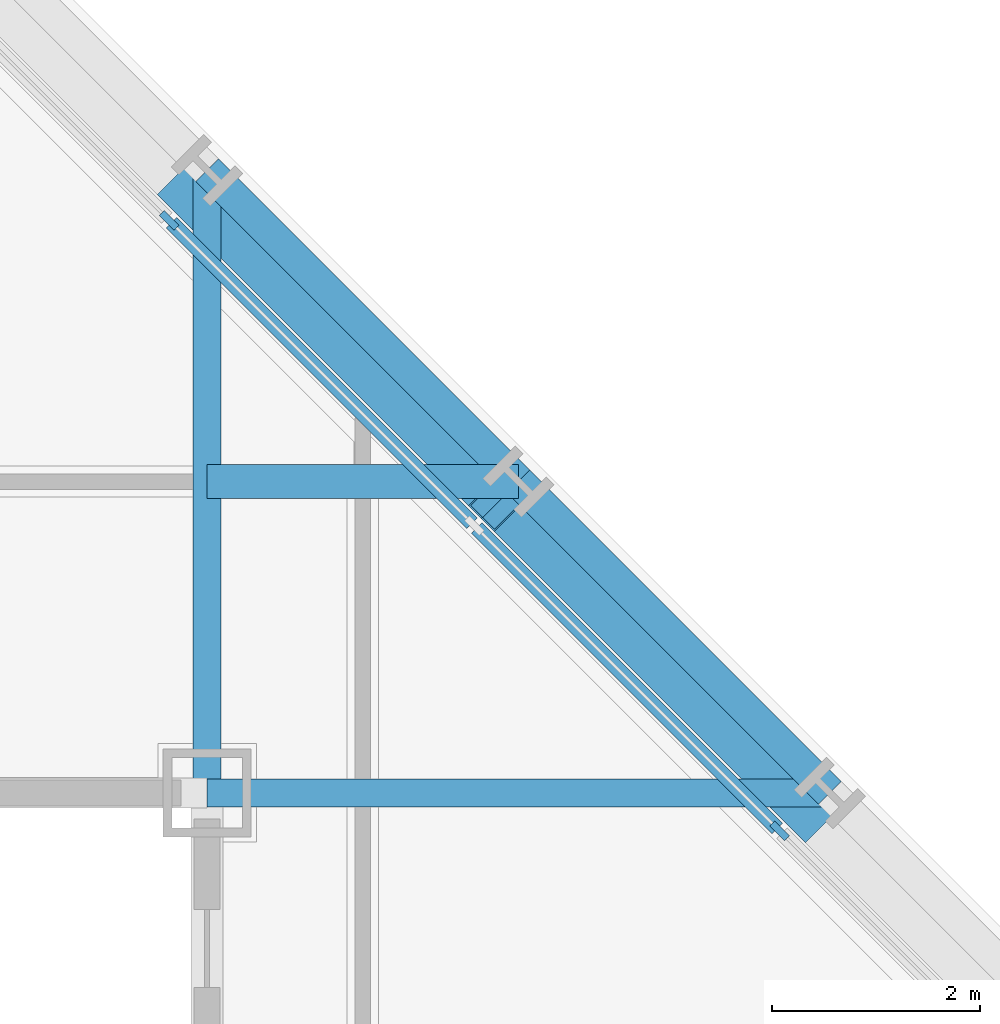
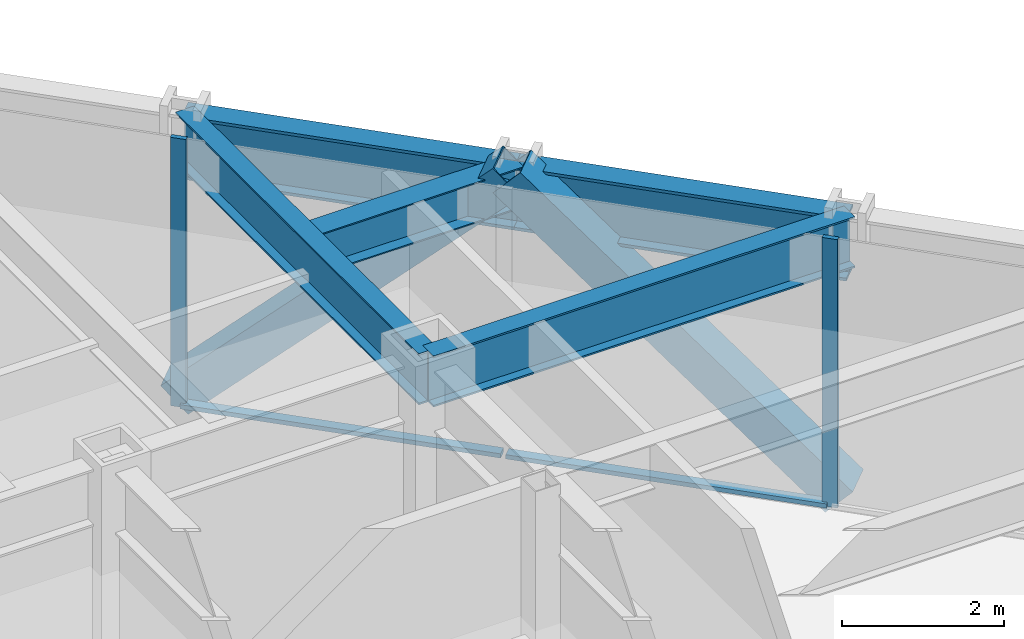
# One storey, part 8 of 16: 6 members, 5 beams, 1 element without a shape of its own.
"""IFC4 building model written with IfcOpenShell, lengths in metres."""

from ifc_helpers import new_model, si_unit, direction, frame, origin, origin_2d, place, context, subcontext, project, spatial, rectangle, hollow_rectangle, i_section, extrude, material, layer, layer_set, material_profile, profile_set, type_object, element, aggregate, save


model = new_model("IFC4")

# Units and contexts
model_context = context("Model", 3, precision=1e-05, world=origin(), true_north=direction((0.0, 1.0)))
body_context = subcontext(model_context, "Body", "Model", "MODEL_VIEW")
ifc_project = project(units=[si_unit("LENGTHUNIT", "METRE"), si_unit("AREAUNIT", "SQUARE_METRE"), si_unit("VOLUMEUNIT", "CUBIC_METRE"), si_unit("PLANEANGLEUNIT", "RADIAN"), si_unit("MASSUNIT", "GRAM", prefix="KILO")], contexts=[model_context])

# Site, building, storey
site_placement = place(None, origin())
site = spatial("IfcSite", under=ifc_project, at=site_placement, CompositionType="ELEMENT")
building_placement = place(site_placement, origin())
building = spatial("IfcBuilding", under=site, at=building_placement, Name="Chuquiago Exchange Tower", CompositionType="ELEMENT")
storey_placement = place(building_placement, frame((0.0, 0.0, 111.0)))
storey = spatial("IfcBuildingStorey", under=building, at=storey_placement, Name="L23", CompositionType="ELEMENT", Elevation=111.0)

# Beam
ifc_material_1 = material(Name="Steel ASTM A992", Category="steel")
ifc_material_profile_1 = material_profile(ifc_material_1, i_section(OverallWidth=0.3251953125, OverallDepth=0.612060546875, WebThickness=0.0126953125, FlangeThickness=0.01904296875, at=origin_2d()), Name="W24X104")
ifc_profile_set_1 = profile_set([ifc_material_profile_1], Name="Steel ASTM A992")
beam_type_1 = type_object("IfcBeamType", Name="B2 W24X104", PredefinedType="BEAM", material=ifc_profile_set_1)
beam_placement = place(storey_placement, frame((33.0, 36.0, 3.73388671875), z_axis=(1.0, 0.0, 0.0), x_axis=(0.0, 1.0, 0.0)))
element("IfcBeam", 1, at=beam_placement, inside=storey, type_object=beam_type_1, Name="FB-L24-corner-33_36-36_36-0", PredefinedType="BEAM", context=body_context, shape_type="SweptSolid", body=[
    extrude(i_section(OverallWidth=0.3251953125, OverallDepth=0.612060546875, WebThickness=0.0126953125, FlangeThickness=0.01904296875, at=origin_2d()), origin(), (0.0, 0.0, 1.0), 3.0),
])

# Curtain wall, members
ifc_material_2 = material(Name="Aluminium curtain wall system", Category="aluminium")
ifc_layer = layer(ifc_material_2, 0.199951171875)
ifc_layer_set = layer_set([ifc_layer], Name="CW3 facet curtain wall")
curtain_wall_type = type_object("IfcCurtainWallType", Name="CW3 facet curtain wall", PredefinedType="NOTDEFINED", material=ifc_layer_set)
curtain_wall_placement = place(storey_placement, origin())
curtain_wall = element("IfcCurtainWall", 2, at=curtain_wall_placement, inside=storey, type_object=curtain_wall_type, Name="CW3 curtain wall L23", PredefinedType="NOTDEFINED")
ifc_material_3 = material(Name="Aluminium mullion, pale anodised", Category="aluminium")
ifc_material_profile_2 = material_profile(ifc_material_3, rectangle(XDim=0.06494140625, YDim=0.199951171875, at=origin_2d()), Name="AL 65x200")
ifc_profile_set_2 = profile_set([ifc_material_profile_2], Name="Aluminium mullion, pale anodised")
member_type_1 = type_object("IfcMemberType", Name="CW3-M mullion 65x200", PredefinedType="MULLION", material=ifc_profile_set_2)
member_1_placement = place(storey_placement, frame((38.51708984375, 32.63427734375, 0.0), z_axis=(0.0, 0.0, 1.0), x_axis=(-0.707106781187, -0.707106781187, 0.0)))
member_1 = element("IfcMember", 3, at=member_1_placement, type_object=member_type_1, Name="CW3 mullion 3", PredefinedType="MULLION", context=body_context, shape_type="SweptSolid", body=[
    extrude(rectangle(XDim=0.06494140625, YDim=0.199951171875, at=origin_2d()), origin(), (0.0, 0.0, 1.0), 4.0400390625),
])
member_2_placement = place(storey_placement, frame((32.63427734375, 38.51708984375, 0.0), z_axis=(0.0, 0.0, 1.0), x_axis=(-0.707106781187, -0.707106781187, 0.0)))
member_2 = element("IfcMember", 4, at=member_2_placement, type_object=member_type_1, Name="CW3 mullion 5", PredefinedType="MULLION", context=body_context, shape_type="SweptSolid", body=[
    extrude(rectangle(XDim=0.06494140625, YDim=0.199951171875, at=origin_2d()), origin(), (0.0, 0.0, 1.0), 4.0400390625),
])
ifc_material_4 = material(Name="Aluminium transom, pale anodised", Category="aluminium")
ifc_material_profile_3 = material_profile(ifc_material_4, rectangle(XDim=0.139892578125, YDim=0.06494140625, at=origin_2d()), Name="AL 140x65")
ifc_profile_set_3 = profile_set([ifc_material_profile_3], Name="Aluminium transom, pale anodised")
member_type_2 = type_object("IfcMemberType", Name="CW3-T transom 65x140", PredefinedType="MULLION", material=ifc_profile_set_3)
member_3_placement = place(storey_placement, frame((38.494140625, 32.6572265625, 0.032470703125), z_axis=(-0.707106781187, 0.707106781187, 0.0), x_axis=(-0.707106781187, -0.707106781187, 0.0)))
member_3 = element("IfcMember", 5, at=member_3_placement, type_object=member_type_2, Name="CW3 transom 3.1", PredefinedType="MULLION", context=body_context, shape_type="SweptSolid", body=[
    extrude(rectangle(XDim=0.139892578125, YDim=0.06494140625, at=origin_2d()), origin(), (0.0, 0.0, 1.0), 4.094970703125),
])
member_4_placement = place(storey_placement, frame((35.552734375, 35.5986328125, 0.032470703125), z_axis=(-0.707106781187, 0.707106781187, 0.0), x_axis=(-0.707106781187, -0.707106781187, 0.0)))
member_4 = element("IfcMember", 6, at=member_4_placement, type_object=member_type_2, Name="CW3 transom 4.1", PredefinedType="MULLION", context=body_context, shape_type="SweptSolid", body=[
    extrude(rectangle(XDim=0.139892578125, YDim=0.06494140625, at=origin_2d()), origin(), (0.0, 0.0, 1.0), 4.094970703125),
])
aggregate(curtain_wall, [member_1, member_2, member_3, member_4])

# Beams
ifc_material_5 = material(Name="Steel ASTM A992", Category="steel")
ifc_material_profile_4 = material_profile(ifc_material_5, i_section(OverallWidth=0.2666015625, OverallDepth=0.76953125, WebThickness=0.015625, FlangeThickness=0.025390625, at=origin_2d()), Name="W30X132")
ifc_profile_set_4 = profile_set([ifc_material_profile_4], Name="Steel ASTM A992")
beam_type_2 = type_object("IfcBeamType", Name="G1 W30X132", PredefinedType="BEAM", material=ifc_profile_set_4)
for number, where, z_axis, x_axis, name in (
    (7, (33.0, 33.0, 3.6552734375), (0.0, 1.0, 0.0), (-1.0, 0.0, 0.0), "FB-L24-girder-33_33-33_39-0"),
    (8, (33.0, 33.0, 3.6552734375), (1.0, 0.0, 0.0), (0.0, 1.0, 0.0), "FB-L24-girder-33_33-39_33-0"),
):
    element("IfcBeam", number, at=place(storey_placement, frame(where, z_axis=z_axis, x_axis=x_axis)), inside=storey, type_object=beam_type_2, Name=name, PredefinedType="BEAM", context=body_context, shape_type="SweptSolid", body=[
        extrude(i_section(OverallWidth=0.2666015625, OverallDepth=0.76953125, WebThickness=0.015625, FlangeThickness=0.025390625, at=origin_2d()), origin(), (0.0, 0.0, 1.0), 6.0),
    ])

# Members
ifc_material_6 = material(Name="Steel ASTM A500 Grade C", Category="steel")
ifc_material_profile_5 = material_profile(ifc_material_6, hollow_rectangle(XDim=0.508056640625, YDim=0.508056640625, WallThickness=0.017822265625, at=origin_2d()), Name="HSS20X20X3/4")
ifc_profile_set_5 = profile_set([ifc_material_profile_5], Name="Steel ASTM A500 Grade C")
member_type_3 = type_object("IfcMemberType", Name="LB1 HSS20X20X3/4", PredefinedType="BRACE", material=ifc_profile_set_5)
for number, where, z_axis, x_axis, name in (
    (9, (38.822509765625, 32.822509765625, 0.0), (-0.512077265487, 0.512077265487, 0.689604051861), (-0.707106781187, -0.707106781187, 0.0), "LB-L23-39_33-36_36"),
    (10, (32.822509765625, 38.822509765625, 0.0), (0.512077265487, -0.512077265487, 0.689604051861), (0.707106781187, 0.707106781187, 0.0), "LB-L23-36_36-33_39"),
):
    element("IfcMember", number, at=place(storey_placement, frame(where, z_axis=z_axis, x_axis=x_axis)), inside=storey, type_object=member_type_3, Name=name, PredefinedType="BRACE", context=body_context, shape_type="SweptSolid", body=[
        extrude(hollow_rectangle(XDim=0.508056640625, YDim=0.508056640625, WallThickness=0.017822265625, at=origin_2d()), origin(), (0.0, 0.0, 1.0), 5.8583984375),
    ])

# Beams
ifc_material_7 = material(Name="Steel ASTM A992", Category="steel")
ifc_material_profile_6 = material_profile(ifc_material_7, i_section(OverallWidth=0.309814453125, OverallDepth=0.949951171875, WebThickness=0.0244140625, FlangeThickness=0.0439453125, at=origin_2d()), Name="W36X256")
ifc_profile_set_6 = profile_set([ifc_material_profile_6], Name="Steel ASTM A992")
beam_type_3 = type_object("IfcBeamType", Name="SP2 W36X256", PredefinedType="SPANDREL", material=ifc_profile_set_6)
for number, where, z_axis, x_axis, name in (
    (11, (39.0, 33.0, 3.56494140625), (-0.707106781187, 0.707106781187, 0.0), (-0.707106781187, -0.707106781187, 0.0), "SPB-L24-39_33-36_36"),
    (12, (36.0, 36.0, 3.56494140625), (-0.707106781187, 0.707106781187, 0.0), (-0.707106781187, -0.707106781187, 0.0), "SPB-L24-36_36-33_39"),
):
    element("IfcBeam", number, at=place(storey_placement, frame(where, z_axis=z_axis, x_axis=x_axis)), inside=storey, type_object=beam_type_3, Name=name, PredefinedType="SPANDREL", context=body_context, shape_type="SweptSolid", body=[
        extrude(i_section(OverallWidth=0.309814453125, OverallDepth=0.949951171875, WebThickness=0.0244140625, FlangeThickness=0.0439453125, at=origin_2d()), origin(), (0.0, 0.0, 1.0), 4.24267578125),
    ])

save(model, "model.ifc")
